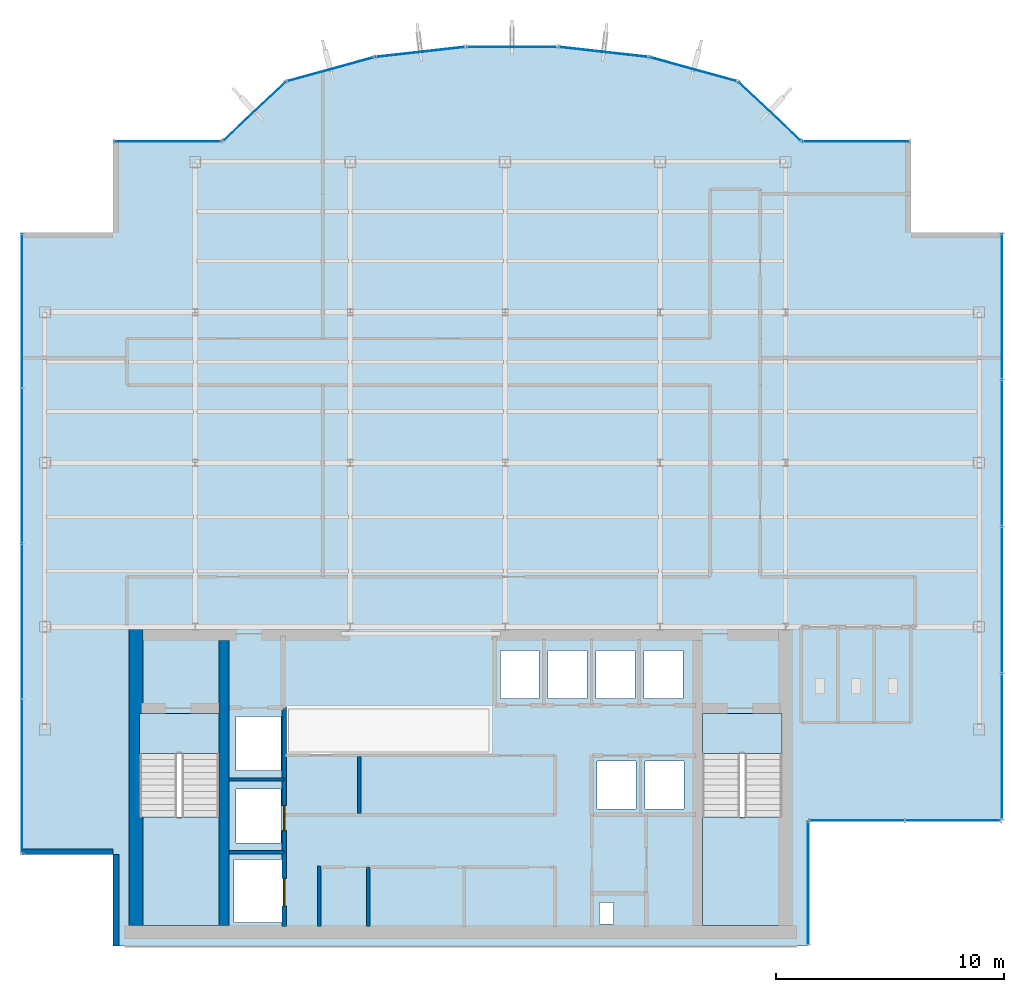
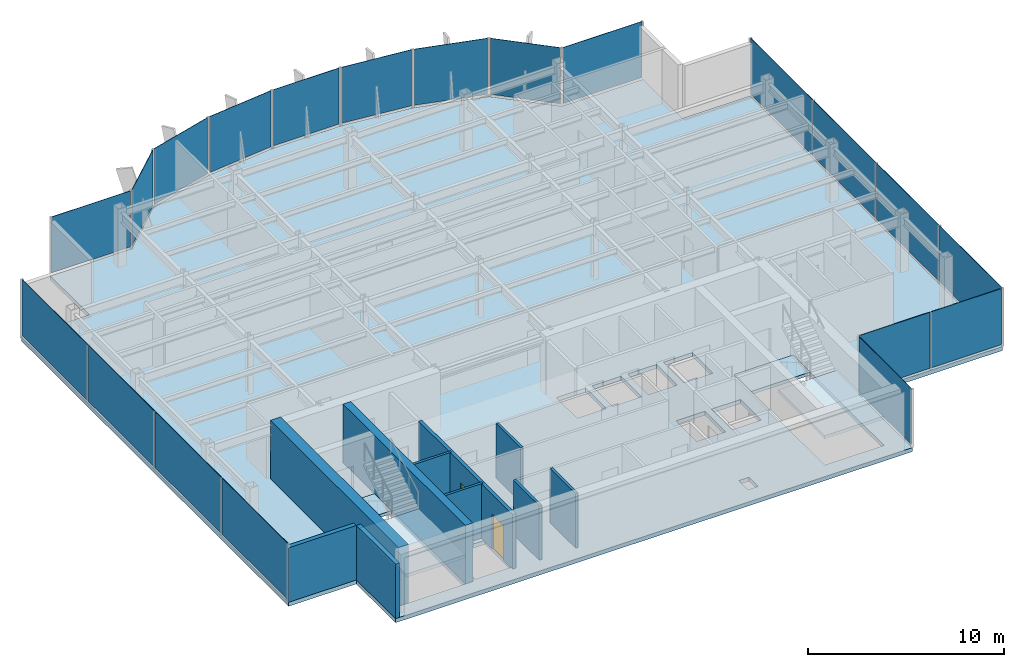
# One storey, part 16 of 22: 20 plates, 10 walls, 5 slabs, 2 doors, 2 openings, 15 elements without a shape of their own.
"""IFC4 building model written with IfcOpenShell, lengths in metres."""

from ifc_helpers import new_model, si_unit, derived_unit, direction, frame, frame_2d, origin, origin_2d, place, context, subcontext, project, spatial, polyline, rectangle, outline, extrude, source, transform, mapped, material, layer, layer_set, type_object, element, fill, aggregate, save


model = new_model("IFC4")

# Units and contexts
model_context = context("Model", 3, precision=1e-05, world=origin(), true_north=direction((0.0, 1.0)))
body_context = subcontext(model_context, "Body", "Model", "MODEL_VIEW")
ifc_project = project(units=[si_unit("LENGTHUNIT", "METRE"), si_unit("AREAUNIT", "SQUARE_METRE"), si_unit("VOLUMEUNIT", "CUBIC_METRE"), si_unit("PLANEANGLEUNIT", "RADIAN"), si_unit("MASSUNIT", "GRAM", prefix="KILO"), derived_unit("THERMALTRANSMITTANCEUNIT", [(si_unit("POWERUNIT", "WATT"), 1), (si_unit("LENGTHUNIT", "METRE"), -2), (si_unit("THERMODYNAMICTEMPERATUREUNIT", "KELVIN"), -1)])], contexts=[model_context])

# Site, building, storey
site_placement = place(None, origin())
site = spatial("IfcSite", under=ifc_project, at=site_placement, CompositionType="ELEMENT")
building_placement = place(site_placement, origin())
building = spatial("IfcBuilding", under=site, at=building_placement, Name="Skarnbrae Concourse Arena and Tower", CompositionType="ELEMENT")
storey_placement = place(building_placement, frame((0.0, 0.0, 221.449951171875)))
storey = spatial("IfcBuildingStorey", under=building, at=storey_placement, Name="L57", CompositionType="ELEMENT", Elevation=221.449951171875)

# Stair, slab
ifc_material_1 = material(Name="Concrete 40 MPa (C40/50)", Category="concrete")
stair_type = type_object("IfcStairType", Name="STAIR-DOGLEG-1650", PredefinedType="HALF_TURN_STAIR", material=ifc_material_1)
stair_1_placement = place(storey_placement, origin())
stair_1 = element("IfcStair", 1, at=stair_1_placement, inside=storey, type_object=stair_type, Name="L57 Protected Exit Stair ST-1", PredefinedType="HALF_TURN_STAIR")
ifc_layer_1 = layer(ifc_material_1, 0.199951171875)
ifc_layer_set_1 = layer_set([ifc_layer_1], Name="Concrete 40 MPa (C40/50)")
slab_type_1 = type_object("IfcSlabType", Name="SLAB-LANDING-200", PredefinedType="LANDING", material=ifc_layer_set_1)
slab_1_placement = place(storey_placement, frame((0.0, 0.0, 1.625)))
slab_1 = element("IfcSlab", 2, at=slab_1_placement, type_object=slab_type_1, Name="ST-1 landing 1", PredefinedType="LANDING", context=body_context, shape_type="SweptSolid", body=[
    extrude(outline(polyline([(5.14990234375, 5.64990234375), (5.14990234375, 0.89990234375), (8.64990234375, 0.89990234375), (8.64990234375, 5.64990234375), (5.14990234375, 5.64990234375)])), origin(), (0.0, 0.0, 1.0), 0.199951171875),
])
aggregate(stair_1, [slab_1])

stair_2_placement = place(storey_placement, origin())
stair_2 = element("IfcStair", 3, at=stair_2_placement, inside=storey, type_object=stair_type, Name="L57 Protected Exit Stair ST-2", PredefinedType="HALF_TURN_STAIR")
slab_2_placement = place(storey_placement, frame((0.0, 0.0, 1.625)))
slab_2 = element("IfcSlab", 4, at=slab_2_placement, type_object=slab_type_1, Name="ST-2 landing 1", PredefinedType="LANDING", context=body_context, shape_type="SweptSolid", body=[
    extrude(outline(polyline([(29.85009765625, 5.64990234375), (29.85009765625, 0.89990234375), (33.35009765625, 0.89990234375), (33.35009765625, 5.64990234375), (29.85009765625, 5.64990234375)])), origin(), (0.0, 0.0, 1.0), 0.199951171875),
])
aggregate(stair_2, [slab_2])

# Slabs
slab_3_placement = place(storey_placement, frame((0.0, 0.0, -0.199951171875)))
element("IfcSlab", 5, at=slab_3_placement, inside=storey, type_object=slab_type_1, Name="L57 Core stair ST1 floor landing", PredefinedType="LANDING", context=body_context, shape_type="SweptSolid", body=[
    extrude(outline(polyline([(5.14990234375, 10.199951171875), (5.14990234375, 8.449951171875), (8.64990234375, 8.449951171875), (8.64990234375, 10.199951171875), (5.14990234375, 10.199951171875)])), origin(), (0.0, 0.0, 1.0), 0.199951171875),
])
slab_4_placement = place(storey_placement, frame((0.0, 0.0, -0.199951171875)))
element("IfcSlab", 6, at=slab_4_placement, inside=storey, type_object=slab_type_1, Name="L57 Core stair ST2 floor landing", PredefinedType="LANDING", context=body_context, shape_type="SweptSolid", body=[
    extrude(outline(polyline([(29.85009765625, 10.199951171875), (29.85009765625, 8.449951171875), (33.35009765625, 8.449951171875), (33.35009765625, 10.199951171875), (29.85009765625, 10.199951171875)])), origin(), (0.0, 0.0, 1.0), 0.199951171875),
])
ifc_layer_2 = layer(ifc_material_1, 0.25)
ifc_layer_set_2 = layer_set([ifc_layer_2], Name="Concrete 40 MPa (C40/50)")
slab_type_2 = type_object("IfcSlabType", Name="SLAB-TOWER-250", PredefinedType="FLOOR", material=ifc_layer_set_2)
slab_5_placement = place(storey_placement, frame((0.0, 0.0, -0.25)))
element("IfcSlab", 7, at=slab_5_placement, inside=storey, type_object=slab_type_2, Name="L57 Structural floor slab", PredefinedType="FLOOR", context=body_context, shape_type="SweptSolid", body=[
    extrude(outline(polyline([(4.0, 0.0), (34.5, 0.0), (34.5, 5.5), (43.0, 5.5), (43.0, 31.300048828125), (39.0, 31.300048828125), (39.0, 35.300048828125), (34.199951171875, 35.300048828125), (31.40966796875, 37.9267578125), (27.52587890625, 38.9970703125), (23.51708984375, 39.44677734375), (19.48291015625, 39.44677734375), (15.47412109375, 38.9970703125), (11.59033203125, 37.9267578125), (8.800048828125, 35.300048828125), (4.0, 35.300048828125), (4.0, 31.300048828125), (0.0, 31.300048828125), (0.0, 4.0), (4.0, 4.0), (4.0, 0.0)]), holes=[polyline([(9.294921875, 1.02001953125), (9.294921875, 3.780029296875), (11.455078125, 3.780029296875), (11.455078125, 1.02001953125), (9.294921875, 1.02001953125)]), polyline([(8.64990234375, 10.199951171875), (8.64990234375, 0.89990234375), (5.14990234375, 0.89990234375), (5.14990234375, 10.199951171875), (8.64990234375, 10.199951171875)]), polyline([(9.39501953125, 6.8798828125), (11.35498046875, 6.8798828125), (11.35498046875, 4.52001953125), (9.39501953125, 4.52001953125), (9.39501953125, 6.8798828125)]), polyline([(9.39501953125, 7.695068359375), (9.39501953125, 10.054931640625), (11.35498046875, 10.054931640625), (11.35498046875, 7.695068359375), (9.39501953125, 7.695068359375)]), polyline([(20.985107421875, 12.955078125), (22.695068359375, 12.955078125), (22.695068359375, 10.844970703125), (20.985107421875, 10.844970703125), (20.985107421875, 12.955078125)]), polyline([(23.0849609375, 12.955078125), (24.794921875, 12.955078125), (24.794921875, 10.844970703125), (23.0849609375, 10.844970703125), (23.0849609375, 12.955078125)]), polyline([(25.35009765625, 0.949951171875), (25.35009765625, 1.889892578125), (25.9599609375, 1.889892578125), (25.9599609375, 0.949951171875), (25.35009765625, 0.949951171875)]), polyline([(33.35009765625, 10.199951171875), (33.35009765625, 0.89990234375), (29.85009765625, 0.89990234375), (29.85009765625, 10.199951171875), (33.35009765625, 10.199951171875)]), polyline([(25.235107421875, 8.10498046875), (26.945068359375, 8.10498046875), (26.945068359375, 5.9951171875), (25.235107421875, 5.9951171875), (25.235107421875, 8.10498046875)]), polyline([(27.3349609375, 5.9951171875), (27.3349609375, 8.10498046875), (29.044921875, 8.10498046875), (29.044921875, 5.9951171875), (27.3349609375, 5.9951171875)]), polyline([(25.18505859375, 12.955078125), (26.89501953125, 12.955078125), (26.89501953125, 10.844970703125), (25.18505859375, 10.844970703125), (25.18505859375, 12.955078125)]), polyline([(27.284912109375, 12.955078125), (28.9951171875, 12.955078125), (28.9951171875, 10.844970703125), (27.284912109375, 10.844970703125), (27.284912109375, 12.955078125)])]), origin(), (0.0, 0.0, 1.0), 0.25),
])

# Curtain wall, plate
ifc_material_2 = material(Name="Bronze anodised aluminium 6063-T6", Category="aluminium")
curtain_wall_type = type_object("IfcCurtainWallType", Name="CW-SYS-05-HIGHZONE", PredefinedType="USERDEFINED", material=ifc_material_2)
curtain_wall_1_placement = place(storey_placement, origin())
curtain_wall_1 = element("IfcCurtainWall", 8, at=curtain_wall_1_placement, inside=storey, type_object=curtain_wall_type, Name="L57 Unitised curtain wall CW-L57-E02", ObjectType="UNITISED CURTAIN WALL", PredefinedType="USERDEFINED")
ifc_material_3 = material(Name="Low-E triple insulating glass", Category="glass")
ifc_layer_3 = layer(ifc_material_3, 0.030029296875)
ifc_layer_set_3 = layer_set([ifc_layer_3], Name="Low-E triple insulating glass")
plate_type = type_object("IfcPlateType", Name="CWP-CW-05", PredefinedType="CURTAIN_PANEL", material=ifc_layer_set_3)
shared_shape_1 = source(origin(), body_context, "Body", "SweptSolid", [
    extrude(rectangle(XDim=5.35009765625, YDim=0.030029296875, at=origin_2d()), origin(), (0.0, 0.0, 1.0), 3.5),
])
plate_1_placement = place(storey_placement, frame((34.5, 2.75, 0.150146484375), z_axis=(0.0, 0.0, 1.0), x_axis=(0.0, 1.0, 0.0)))
plate_1 = element("IfcPlate", 9, at=plate_1_placement, type_object=plate_type, Name="CW-L57-E02 Low-E Glazing Panel 1", PredefinedType="CURTAIN_PANEL", context=body_context, shape_type="MappedRepresentation", body=[
    mapped(shared_shape_1, transform((0.0, 0.0, 0.0))),
])
aggregate(curtain_wall_1, [plate_1])

# Curtain wall, plates
curtain_wall_2_placement = place(storey_placement, origin())
curtain_wall_2 = element("IfcCurtainWall", 10, at=curtain_wall_2_placement, inside=storey, type_object=curtain_wall_type, Name="L57 Unitised curtain wall CW-L57-E03", ObjectType="UNITISED CURTAIN WALL", PredefinedType="USERDEFINED")
shared_shape_2 = source(origin(), body_context, "Body", "SweptSolid", [
    extrude(rectangle(XDim=4.137451171875, YDim=0.030029296875, at=origin_2d()), origin(), (0.0, 0.0, 1.0), 3.5),
])
plate_2_placement = place(storey_placement, frame((36.643798828125, 5.5, 0.150146484375), z_axis=(0.0, 0.0, 1.0), x_axis=(1.0, 0.0, 0.0)))
plate_2 = element("IfcPlate", 11, at=plate_2_placement, type_object=plate_type, Name="CW-L57-E03 Low-E Glazing Panel 1", PredefinedType="CURTAIN_PANEL", context=body_context, shape_type="MappedRepresentation", body=[
    mapped(shared_shape_2, transform((0.0, 0.0, 0.0))),
])
plate_3_placement = place(storey_placement, frame((40.856201171875, 5.5, 0.150146484375), z_axis=(0.0, 0.0, 1.0), x_axis=(1.0, 0.0, 0.0)))
plate_3 = element("IfcPlate", 12, at=plate_3_placement, type_object=plate_type, Name="CW-L57-E03 Low-E Glazing Panel 2", PredefinedType="CURTAIN_PANEL", context=body_context, shape_type="MappedRepresentation", body=[
    mapped(shared_shape_2, transform((0.0, 0.0, 0.0))),
])
aggregate(curtain_wall_2, [plate_2, plate_3])

# Curtain wall, plate
curtain_wall_3_placement = place(storey_placement, origin())
curtain_wall_3 = element("IfcCurtainWall", 13, at=curtain_wall_3_placement, inside=storey, type_object=curtain_wall_type, Name="L57 Unitised curtain wall CW-L57-E07", ObjectType="UNITISED CURTAIN WALL", PredefinedType="USERDEFINED")
shared_shape_3 = source(origin(), body_context, "Body", "SweptSolid", [
    extrude(rectangle(XDim=4.64990234375, YDim=0.030029296875, at=origin_2d()), origin(), (0.0, 0.0, 1.0), 3.5),
])
plate_4_placement = place(storey_placement, frame((36.60009765625, 35.300048828125, 0.150146484375), z_axis=(0.0, 0.0, 1.0), x_axis=(-1.0, 0.0, 0.0)))
plate_4 = element("IfcPlate", 14, at=plate_4_placement, type_object=plate_type, Name="CW-L57-E07 Low-E Glazing Panel 1", PredefinedType="CURTAIN_PANEL", context=body_context, shape_type="MappedRepresentation", body=[
    mapped(shared_shape_3, transform((0.0, 0.0, 0.0))),
])
aggregate(curtain_wall_3, [plate_4])

curtain_wall_4_placement = place(storey_placement, origin())
curtain_wall_4 = element("IfcCurtainWall", 15, at=curtain_wall_4_placement, inside=storey, type_object=curtain_wall_type, Name="L57 Unitised curtain wall CW-L57-E15", ObjectType="UNITISED CURTAIN WALL", PredefinedType="USERDEFINED")
plate_5_placement = place(storey_placement, frame((6.39990234375, 35.300048828125, 0.150146484375), z_axis=(0.0, 0.0, 1.0), x_axis=(-1.0, 0.0, 0.0)))
plate_5 = element("IfcPlate", 16, at=plate_5_placement, type_object=plate_type, Name="CW-L57-E15 Low-E Glazing Panel 1", PredefinedType="CURTAIN_PANEL", context=body_context, shape_type="MappedRepresentation", body=[
    mapped(shared_shape_3, transform((0.0, 0.0, 0.0))),
])
aggregate(curtain_wall_4, [plate_5])

curtain_wall_5_placement = place(storey_placement, origin())
curtain_wall_5 = element("IfcCurtainWall", 17, at=curtain_wall_5_placement, inside=storey, type_object=curtain_wall_type, Name="L57 Unitised curtain wall CW-L57-E08", ObjectType="UNITISED CURTAIN WALL", PredefinedType="USERDEFINED")
shared_shape_4 = source(origin(), body_context, "Body", "SweptSolid", [
    extrude(rectangle(XDim=3.68212890625, YDim=0.030029296875, at=origin_2d()), origin(), (0.0, 0.0, 1.0), 3.5),
])
plate_6_placement = place(storey_placement, frame((32.804931640625, 36.61328125, 0.150146484375), z_axis=(0.0, 0.0, 1.0), x_axis=(-0.728130555214, 0.685438468838, 0.0)))
plate_6 = element("IfcPlate", 18, at=plate_6_placement, type_object=plate_type, Name="CW-L57-E08 Low-E Glazing Panel 1", PredefinedType="CURTAIN_PANEL", context=body_context, shape_type="MappedRepresentation", body=[
    mapped(shared_shape_4, transform((0.0, 0.0, 0.0))),
])
aggregate(curtain_wall_5, [plate_6])

curtain_wall_6_placement = place(storey_placement, origin())
curtain_wall_6 = element("IfcCurtainWall", 19, at=curtain_wall_6_placement, inside=storey, type_object=curtain_wall_type, Name="L57 Unitised curtain wall CW-L57-E14", ObjectType="UNITISED CURTAIN WALL", PredefinedType="USERDEFINED")
plate_7_placement = place(storey_placement, frame((10.195068359375, 36.61328125, 0.150146484375), z_axis=(0.0, 0.0, 1.0), x_axis=(-0.728130555214, -0.685438468838, 0.0)))
plate_7 = element("IfcPlate", 20, at=plate_7_placement, type_object=plate_type, Name="CW-L57-E14 Low-E Glazing Panel 1", PredefinedType="CURTAIN_PANEL", context=body_context, shape_type="MappedRepresentation", body=[
    mapped(shared_shape_4, transform((0.0, 0.0, 0.0))),
])
aggregate(curtain_wall_6, [plate_7])

curtain_wall_7_placement = place(storey_placement, origin())
curtain_wall_7 = element("IfcCurtainWall", 21, at=curtain_wall_7_placement, inside=storey, type_object=curtain_wall_type, Name="L57 Unitised curtain wall CW-L57-E09", ObjectType="UNITISED CURTAIN WALL", PredefinedType="USERDEFINED")
shared_shape_5 = source(origin(), body_context, "Body", "SweptSolid", [
    extrude(rectangle(XDim=3.878662109375, YDim=0.030029296875, at=origin_2d()), origin(), (0.0, 0.0, 1.0), 3.5),
])
plate_8_placement = place(storey_placement, frame((29.4677734375, 38.4619140625, 0.150146484375), z_axis=(0.0, 0.0, 1.0), x_axis=(-0.964057388766, 0.265694093207, 0.0)))
plate_8 = element("IfcPlate", 22, at=plate_8_placement, type_object=plate_type, Name="CW-L57-E09 Low-E Glazing Panel 1", PredefinedType="CURTAIN_PANEL", context=body_context, shape_type="MappedRepresentation", body=[
    mapped(shared_shape_5, transform((0.0, 0.0, 0.0))),
])
aggregate(curtain_wall_7, [plate_8])

curtain_wall_8_placement = place(storey_placement, origin())
curtain_wall_8 = element("IfcCurtainWall", 23, at=curtain_wall_8_placement, inside=storey, type_object=curtain_wall_type, Name="L57 Unitised curtain wall CW-L57-E13", ObjectType="UNITISED CURTAIN WALL", PredefinedType="USERDEFINED")
plate_9_placement = place(storey_placement, frame((13.5322265625, 38.4619140625, 0.150146484375), z_axis=(0.0, 0.0, 1.0), x_axis=(-0.964057388766, -0.265694093207, 0.0)))
plate_9 = element("IfcPlate", 24, at=plate_9_placement, type_object=plate_type, Name="CW-L57-E13 Low-E Glazing Panel 1", PredefinedType="CURTAIN_PANEL", context=body_context, shape_type="MappedRepresentation", body=[
    mapped(shared_shape_5, transform((0.0, 0.0, 0.0))),
])
aggregate(curtain_wall_8, [plate_9])

curtain_wall_9_placement = place(storey_placement, origin())
curtain_wall_9 = element("IfcCurtainWall", 25, at=curtain_wall_9_placement, inside=storey, type_object=curtain_wall_type, Name="L57 Unitised curtain wall CW-L57-E10", ObjectType="UNITISED CURTAIN WALL", PredefinedType="USERDEFINED")
shared_shape_6 = source(origin(), body_context, "Body", "SweptSolid", [
    extrude(rectangle(XDim=3.8837890625, YDim=0.030029296875, at=origin_2d()), origin(), (0.0, 0.0, 1.0), 3.5),
])
plate_10_placement = place(storey_placement, frame((25.521484375, 39.221923828125, 0.150146484375), z_axis=(0.0, 0.0, 1.0), x_axis=(-0.993768891873, 0.111460259941, 0.0)))
plate_10 = element("IfcPlate", 26, at=plate_10_placement, type_object=plate_type, Name="CW-L57-E10 Low-E Glazing Panel 1", PredefinedType="CURTAIN_PANEL", context=body_context, shape_type="MappedRepresentation", body=[
    mapped(shared_shape_6, transform((0.0, 0.0, 0.0))),
])
aggregate(curtain_wall_9, [plate_10])

curtain_wall_10_placement = place(storey_placement, origin())
curtain_wall_10 = element("IfcCurtainWall", 27, at=curtain_wall_10_placement, inside=storey, type_object=curtain_wall_type, Name="L57 Unitised curtain wall CW-L57-E12", ObjectType="UNITISED CURTAIN WALL", PredefinedType="USERDEFINED")
plate_11_placement = place(storey_placement, frame((17.478515625, 39.221923828125, 0.150146484375), z_axis=(0.0, 0.0, 1.0), x_axis=(-0.993768891873, -0.111460259941, 0.0)))
plate_11 = element("IfcPlate", 28, at=plate_11_placement, type_object=plate_type, Name="CW-L57-E12 Low-E Glazing Panel 1", PredefinedType="CURTAIN_PANEL", context=body_context, shape_type="MappedRepresentation", body=[
    mapped(shared_shape_6, transform((0.0, 0.0, 0.0))),
])
aggregate(curtain_wall_10, [plate_11])

curtain_wall_11_placement = place(storey_placement, origin())
curtain_wall_11 = element("IfcCurtainWall", 29, at=curtain_wall_11_placement, inside=storey, type_object=curtain_wall_type, Name="L57 Unitised curtain wall CW-L57-E11", ObjectType="UNITISED CURTAIN WALL", PredefinedType="USERDEFINED")
shared_shape_7 = source(origin(), body_context, "Body", "SweptSolid", [
    extrude(rectangle(XDim=3.884521484375, YDim=0.030029296875, at=origin_2d()), origin(), (0.0, 0.0, 1.0), 3.5),
])
plate_12_placement = place(storey_placement, frame((21.5, 39.44677734375, 0.150146484375), z_axis=(0.0, 0.0, 1.0), x_axis=(-1.0, 0.0, 0.0)))
plate_12 = element("IfcPlate", 30, at=plate_12_placement, type_object=plate_type, Name="CW-L57-E11 Low-E Glazing Panel 1", PredefinedType="CURTAIN_PANEL", context=body_context, shape_type="MappedRepresentation", body=[
    mapped(shared_shape_7, transform((0.0, 0.0, 0.0))),
])
aggregate(curtain_wall_11, [plate_12])

# Curtain wall, plates
curtain_wall_12_placement = place(storey_placement, origin())
curtain_wall_12 = element("IfcCurtainWall", 31, at=curtain_wall_12_placement, inside=storey, type_object=curtain_wall_type, Name="L57 Unitised curtain wall CW-L57-E18", ObjectType="UNITISED CURTAIN WALL", PredefinedType="USERDEFINED")
shared_shape_8 = source(origin(), body_context, "Body", "SweptSolid", [
    extrude(rectangle(XDim=6.71240234375, YDim=0.030029296875, at=origin_2d()), origin(), (0.0, 0.0, 1.0), 3.5),
])
plate_13_placement = place(storey_placement, frame((0.0, 27.86865234375, 0.150146484375), z_axis=(0.0, 0.0, 1.0), x_axis=(0.0, -1.0, 0.0)))
plate_13 = element("IfcPlate", 32, at=plate_13_placement, type_object=plate_type, Name="CW-L57-E18 Low-E Glazing Panel 1", PredefinedType="CURTAIN_PANEL", context=body_context, shape_type="MappedRepresentation", body=[
    mapped(shared_shape_8, transform((0.0, 0.0, 0.0))),
])
plate_14_placement = place(storey_placement, frame((0.0, 7.431396484375, 0.150146484375), z_axis=(0.0, 0.0, 1.0), x_axis=(0.0, -1.0, 0.0)))
plate_14 = element("IfcPlate", 33, at=plate_14_placement, type_object=plate_type, Name="CW-L57-E18 Low-E Glazing Panel 4", PredefinedType="CURTAIN_PANEL", context=body_context, shape_type="MappedRepresentation", body=[
    mapped(shared_shape_8, transform((0.0, 0.0, 0.0))),
])
shared_shape_9 = source(origin(), body_context, "Body", "SweptSolid", [
    extrude(rectangle(XDim=6.75, YDim=0.030029296875, at=origin_2d()), origin(), (0.0, 0.0, 1.0), 3.5),
])
plate_15_placement = place(storey_placement, frame((0.0, 21.0625, 0.150146484375), z_axis=(0.0, 0.0, 1.0), x_axis=(0.0, -1.0, 0.0)))
plate_15 = element("IfcPlate", 34, at=plate_15_placement, type_object=plate_type, Name="CW-L57-E18 Low-E Glazing Panel 2", PredefinedType="CURTAIN_PANEL", context=body_context, shape_type="MappedRepresentation", body=[
    mapped(shared_shape_9, transform((0.0, 0.0, 0.0))),
])
plate_16_placement = place(storey_placement, frame((0.0, 14.237548828125, 0.150146484375), z_axis=(0.0, 0.0, 1.0), x_axis=(0.0, -1.0, 0.0)))
plate_16 = element("IfcPlate", 35, at=plate_16_placement, type_object=plate_type, Name="CW-L57-E18 Low-E Glazing Panel 3", PredefinedType="CURTAIN_PANEL", context=body_context, shape_type="MappedRepresentation", body=[
    mapped(shared_shape_9, transform((0.0, 0.0, 0.0))),
])
aggregate(curtain_wall_12, [plate_13, plate_15, plate_16, plate_14])

curtain_wall_13_placement = place(storey_placement, origin())
curtain_wall_13 = element("IfcCurtainWall", 36, at=curtain_wall_13_placement, inside=storey, type_object=curtain_wall_type, Name="L57 Unitised curtain wall CW-L57-E04", ObjectType="UNITISED CURTAIN WALL", PredefinedType="USERDEFINED")
shared_shape_10 = source(origin(), body_context, "Body", "SweptSolid", [
    extrude(rectangle(XDim=6.33740234375, YDim=0.030029296875, at=origin_2d()), origin(), (0.0, 0.0, 1.0), 3.5),
])
plate_17_placement = place(storey_placement, frame((43.0, 8.743896484375, 0.150146484375), z_axis=(0.0, 0.0, 1.0), x_axis=(0.0, 1.0, 0.0)))
plate_17 = element("IfcPlate", 37, at=plate_17_placement, type_object=plate_type, Name="CW-L57-E04 Low-E Glazing Panel 1", PredefinedType="CURTAIN_PANEL", context=body_context, shape_type="MappedRepresentation", body=[
    mapped(shared_shape_10, transform((0.0, 0.0, 0.0))),
])
plate_18_placement = place(storey_placement, frame((43.0, 28.05615234375, 0.150146484375), z_axis=(0.0, 0.0, 1.0), x_axis=(0.0, 1.0, 0.0)))
plate_18 = element("IfcPlate", 38, at=plate_18_placement, type_object=plate_type, Name="CW-L57-E04 Low-E Glazing Panel 4", PredefinedType="CURTAIN_PANEL", context=body_context, shape_type="MappedRepresentation", body=[
    mapped(shared_shape_10, transform((0.0, 0.0, 0.0))),
])
shared_shape_11 = source(origin(), body_context, "Body", "SweptSolid", [
    extrude(rectangle(XDim=6.375, YDim=0.030029296875, at=origin_2d()), origin(), (0.0, 0.0, 1.0), 3.5),
])
plate_19_placement = place(storey_placement, frame((43.0, 15.175048828125, 0.150146484375), z_axis=(0.0, 0.0, 1.0), x_axis=(0.0, 1.0, 0.0)))
plate_19 = element("IfcPlate", 39, at=plate_19_placement, type_object=plate_type, Name="CW-L57-E04 Low-E Glazing Panel 2", PredefinedType="CURTAIN_PANEL", context=body_context, shape_type="MappedRepresentation", body=[
    mapped(shared_shape_11, transform((0.0, 0.0, 0.0))),
])
plate_20_placement = place(storey_placement, frame((43.0, 21.625, 0.150146484375), z_axis=(0.0, 0.0, 1.0), x_axis=(0.0, 1.0, 0.0)))
plate_20 = element("IfcPlate", 40, at=plate_20_placement, type_object=plate_type, Name="CW-L57-E04 Low-E Glazing Panel 3", PredefinedType="CURTAIN_PANEL", context=body_context, shape_type="MappedRepresentation", body=[
    mapped(shared_shape_11, transform((0.0, 0.0, 0.0))),
])
aggregate(curtain_wall_13, [plate_17, plate_19, plate_20, plate_18])

# Walls
ifc_material_4 = material(Name="Concrete 50 MPa (C50/60)", Category="concrete")
ifc_layer_4 = layer(ifc_material_4, 0.60009765625)
ifc_layer_set_4 = layer_set([ifc_layer_4], Name="Concrete 50 MPa (C50/60)")
wall_type_1 = type_object("IfcWallType", Name="WALL-CORE-600-C50", PredefinedType="SHEAR", material=ifc_layer_set_4)
shared_shape_12 = source(origin(), body_context, "Body", "SweptSolid", [
    extrude(rectangle(XDim=13.10009765625, YDim=0.60009765625, at=frame_2d((6.550048828125, 0.0))), origin(), (0.0, 0.0, 1.0), 3.650146484375),
])
wall_1_placement = place(storey_placement, frame((5.0, 0.89990234375, 0.0), z_axis=(0.0, 0.0, 1.0), x_axis=(0.0, 1.0, 0.0)))
element("IfcWall", 41, at=wall_1_placement, inside=storey, type_object=wall_type_1, Name="L57 Rear core shear wall CW-W", PredefinedType="SHEAR", context=body_context, shape_type="MappedRepresentation", body=[
    mapped(shared_shape_12, transform((0.0, 0.0, 0.0))),
])
ifc_layer_5 = layer(ifc_material_4, 0.449951171875)
ifc_layer_set_5 = layer_set([ifc_layer_5], Name="Concrete 50 MPa (C50/60)")
wall_type_2 = type_object("IfcWallType", Name="WALL-CORE-450-C50", PredefinedType="SHEAR", material=ifc_layer_set_5)
shared_shape_13 = source(origin(), body_context, "Body", "SweptSolid", [
    extrude(rectangle(XDim=12.5, YDim=0.449951171875, at=frame_2d((6.25, 0.0))), origin(), (0.0, 0.0, 1.0), 3.650146484375),
])
wall_2_placement = place(storey_placement, frame((8.864990234375, 0.89990234375, 0.0), z_axis=(0.0, 0.0, 1.0), x_axis=(0.0, 1.0, 0.0)))
element("IfcWall", 42, at=wall_2_placement, inside=storey, type_object=wall_type_2, Name="L57 Rear core shear wall CW-WEB-W", PredefinedType="SHEAR", context=body_context, shape_type="MappedRepresentation", body=[
    mapped(shared_shape_13, transform((0.0, 0.0, 0.0))),
])
ifc_material_5 = material(Name="Precast concrete 40 MPa (C40/50)", Category="concrete")
ifc_layer_6 = layer(ifc_material_5, 0.25)
ifc_layer_set_6 = layer_set([ifc_layer_6], Name="Precast concrete 40 MPa (C40/50)")
wall_type_3 = type_object("IfcWallType", Name="WALL-EXT-SPANDREL-250", PredefinedType="STANDARD", material=ifc_layer_set_6)
shared_shape_14 = source(origin(), body_context, "Body", "SweptSolid", [
    extrude(rectangle(XDim=4.0, YDim=0.25, at=frame_2d((2.0, 0.0))), origin(), (0.0, 0.0, 1.0), 3.400146484375),
])
for number, where, z_axis, x_axis, name in (
    (43, (0.0, 4.125, 0.0), (0.0, 0.0, 1.0), (1.0, 0.0, 0.0), "L57 Notched corner insulated return wall 19"),
    (44, (4.125, 4.0, 0.0), (0.0, 0.0, 1.0), (0.0, -1.0, 0.0), "L57 Notched corner insulated return wall 20"),
):
    element("IfcWall", number, at=place(storey_placement, frame(where, z_axis=z_axis, x_axis=x_axis)), inside=storey, type_object=wall_type_3, Name=name, PredefinedType="STANDARD", context=body_context, shape_type="MappedRepresentation", body=[
        mapped(shared_shape_14, transform((0.0, 0.0, 0.0))),
    ])

# Wall, openings, doors
ifc_material_6 = material(Name="Gypsum board on cold-formed steel studs", Category="steel")
ifc_layer_7 = layer(ifc_material_6, 0.199951171875)
ifc_layer_set_7 = layer_set([ifc_layer_7], Name="Gypsum board on cold-formed steel studs")
wall_type_4 = type_object("IfcWallType", Name="WALL-PART-200-2HR", PredefinedType="PARTITIONING", material=ifc_layer_set_7)
shared_shape_15 = source(origin(), body_context, "Body", "SweptSolid", [
    extrude(rectangle(XDim=9.599853515625, YDim=0.199951171875, at=frame_2d((4.7998046875, 0.0))), origin(), (0.0, 0.0, 1.0), 3.400146484375),
])
wall_3_placement = place(storey_placement, frame((11.5, 0.85009765625, 0.0), z_axis=(0.0, 0.0, 1.0), x_axis=(0.0, 1.0, 0.0)))
wall_3 = element("IfcWall", 45, at=wall_3_placement, inside=storey, type_object=wall_type_4, Name="L57 Interior partition wall W-L57-FL-E", PredefinedType="PARTITIONING", context=body_context, shape_type="MappedRepresentation", body=[
    mapped(shared_shape_15, transform((0.0, 0.0, 0.0))),
])
opening_1_placement = place(wall_3_placement, frame((4.199951171875, 0.0, 0.0)))
opening_1 = element("IfcOpeningElement", 46, at=opening_1_placement, cuts=wall_3, Name="Opening LD-01", PredefinedType="OPENING", context=body_context, shape_type="SweptSolid", body=[
    extrude(rectangle(XDim=1.10009765625, YDim=2.14990234375, at=frame_2d((0.550048828125, 1.074951171875))), frame((0.0, 0.10986328125, 0.0), z_axis=(0.0, -1.0, 0.0), x_axis=(1.0, 0.0, 0.0)), (0.0, 0.0, 1.0), 0.219970703125),
])
opening_2_placement = place(wall_3_placement, frame((0.89990234375, 0.0, 0.0)))
opening_2 = element("IfcOpeningElement", 47, at=opening_2_placement, cuts=wall_3, Name="Opening LD-02", PredefinedType="OPENING", context=body_context, shape_type="SweptSolid", body=[
    extrude(rectangle(XDim=1.199951171875, YDim=2.14990234375, at=frame_2d((0.60009765625, 1.074951171875))), frame((0.0, 0.10986328125, 0.0), z_axis=(0.0, -1.0, 0.0), x_axis=(1.0, 0.0, 0.0)), (0.0, 0.0, 1.0), 0.219970703125),
])
ifc_material_7 = material(Name="Steel CSA G40.21 350W", Category="steel")
door_type_1 = type_object("IfcDoorType", Name="DOOR-LIFT-SLIDE-1100", OperationType="SLIDING_TO_LEFT", PredefinedType="DOOR", material=ifc_material_7)
shared_shape_16 = source(origin(), body_context, "Body", "SweptSolid", [
    extrude(rectangle(XDim=1.10009765625, YDim=2.14990234375, at=frame_2d((0.550048828125, 1.074951171875))), frame((0.0, 0.02490234375, 0.0), z_axis=(0.0, -1.0, 0.0), x_axis=(1.0, 0.0, 0.0)), (0.0, 0.0, 1.0), 0.050048828125),
])
door_1_placement = place(opening_1_placement, frame((1.10009765625, 0.0, 0.0), z_axis=(0.0, 0.0, 1.0), x_axis=(-1.0, 0.0, 0.0)))
door_1 = element("IfcDoor", 48, at=door_1_placement, inside=storey, type_object=door_type_1, Name="D-1736 Firefighting Lift Landing Door FL-02", OperationType="SLIDING_TO_LEFT", OverallHeight=2.14990234375, OverallWidth=1.10009765625, PredefinedType="DOOR", context=body_context, shape_type="MappedRepresentation", body=[
    mapped(shared_shape_16, transform((0.0, 0.0, 0.0))),
])
fill(opening_1, door_1)
door_type_2 = type_object("IfcDoorType", Name="DOOR-LIFT-SLIDE-1200", OperationType="SLIDING_TO_LEFT", PredefinedType="DOOR", material=ifc_material_7)
shared_shape_17 = source(origin(), body_context, "Body", "SweptSolid", [
    extrude(rectangle(XDim=1.199951171875, YDim=2.14990234375, at=frame_2d((0.60009765625, 1.074951171875))), frame((0.0, 0.02490234375, 0.0), z_axis=(0.0, -1.0, 0.0), x_axis=(1.0, 0.0, 0.0)), (0.0, 0.0, 1.0), 0.050048828125),
])
door_2_placement = place(opening_2_placement, frame((1.199951171875, 0.0, 0.0), z_axis=(0.0, 0.0, 1.0), x_axis=(-1.0, 0.0, 0.0)))
door_2 = element("IfcDoor", 49, at=door_2_placement, inside=storey, type_object=door_type_2, Name="D-1737 Service Lift Landing Door SV-01", OperationType="SLIDING_TO_LEFT", OverallHeight=2.14990234375, OverallWidth=1.199951171875, PredefinedType="DOOR", context=body_context, shape_type="MappedRepresentation", body=[
    mapped(shared_shape_17, transform((0.0, 0.0, 0.0))),
])
fill(opening_2, door_2)

# Walls
ifc_layer_8 = layer(ifc_material_6, 0.14990234375)
ifc_layer_set_8 = layer_set([ifc_layer_8], Name="Gypsum board on cold-formed steel studs")
wall_type_5 = type_object("IfcWallType", Name="WALL-PART-150", PredefinedType="PARTITIONING", material=ifc_layer_set_8)
shared_shape_18 = source(origin(), body_context, "Body", "SweptSolid", [
    extrude(rectangle(XDim=2.39990234375, YDim=0.14990234375, at=frame_2d((1.199951171875, 0.0))), origin(), (0.0, 0.0, 1.0), 3.400146484375),
])
for number, where, z_axis, x_axis, name in (
    (50, (9.10009765625, 4.10009765625, 0.0), (0.0, 0.0, 1.0), (1.0, 0.0, 0.0), "L57 Interior partition wall W-L57-FL-D1"),
    (51, (9.10009765625, 7.300048828125, 0.0), (0.0, 0.0, 1.0), (1.0, 0.0, 0.0), "L57 Interior partition wall W-L57-FL-D2"),
):
    element("IfcWall", number, at=place(storey_placement, frame(where, z_axis=z_axis, x_axis=x_axis)), inside=storey, type_object=wall_type_5, Name=name, PredefinedType="PARTITIONING", context=body_context, shape_type="MappedRepresentation", body=[
        mapped(shared_shape_18, transform((0.0, 0.0, 0.0))),
    ])
shared_shape_19 = source(origin(), body_context, "Body", "SweptSolid", [
    extrude(rectangle(XDim=2.599853515625, YDim=0.14990234375, at=frame_2d((1.2998046875, 0.0))), origin(), (0.0, 0.0, 1.0), 3.400146484375),
])
wall_4_placement = place(storey_placement, frame((15.199951171875, 0.85009765625, 0.0), z_axis=(0.0, 0.0, 1.0), x_axis=(0.0, 1.0, 0.0)))
element("IfcWall", 52, at=wall_4_placement, inside=storey, type_object=wall_type_5, Name="L57 Interior partition wall W-L57-B1M-C1", PredefinedType="PARTITIONING", context=body_context, shape_type="MappedRepresentation", body=[
    mapped(shared_shape_19, transform((0.0, 0.0, 0.0))),
])
shared_shape_20 = source(origin(), body_context, "Body", "SweptSolid", [
    extrude(rectangle(XDim=2.5, YDim=0.14990234375, at=frame_2d((1.25, 0.0))), origin(), (0.0, 0.0, 1.0), 3.400146484375),
])
wall_5_placement = place(storey_placement, frame((14.800048828125, 5.800048828125, 0.0), z_axis=(0.0, 0.0, 1.0), x_axis=(0.0, 1.0, 0.0)))
element("IfcWall", 53, at=wall_5_placement, inside=storey, type_object=wall_type_5, Name="L57 Interior partition wall W-L57-B2M-MID", PredefinedType="PARTITIONING", context=body_context, shape_type="MappedRepresentation", body=[
    mapped(shared_shape_20, transform((0.0, 0.0, 0.0))),
])
ifc_layer_9 = layer(ifc_material_6, 0.14990234375)
ifc_layer_set_9 = layer_set([ifc_layer_9], Name="Gypsum board on cold-formed steel studs")
wall_type_6 = type_object("IfcWallType", Name="WALL-PART-150-1HR", PredefinedType="PARTITIONING", material=ifc_layer_set_9)
shared_shape_21 = source(origin(), body_context, "Body", "SweptSolid", [
    extrude(rectangle(XDim=2.64990234375, YDim=0.14990234375, at=frame_2d((1.324951171875, 0.0))), origin(), (0.0, 0.0, 1.0), 3.400146484375),
])
wall_6_placement = place(storey_placement, frame((13.050048828125, 0.85009765625, 0.0), z_axis=(0.0, 0.0, 1.0), x_axis=(0.0, 1.0, 0.0)))
element("IfcWall", 54, at=wall_6_placement, inside=storey, type_object=wall_type_6, Name="L57 Interior partition wall W-L57-B1M-W", PredefinedType="PARTITIONING", context=body_context, shape_type="MappedRepresentation", body=[
    mapped(shared_shape_21, transform((0.0, 0.0, 0.0))),
])

save(model, "model.ifc")
